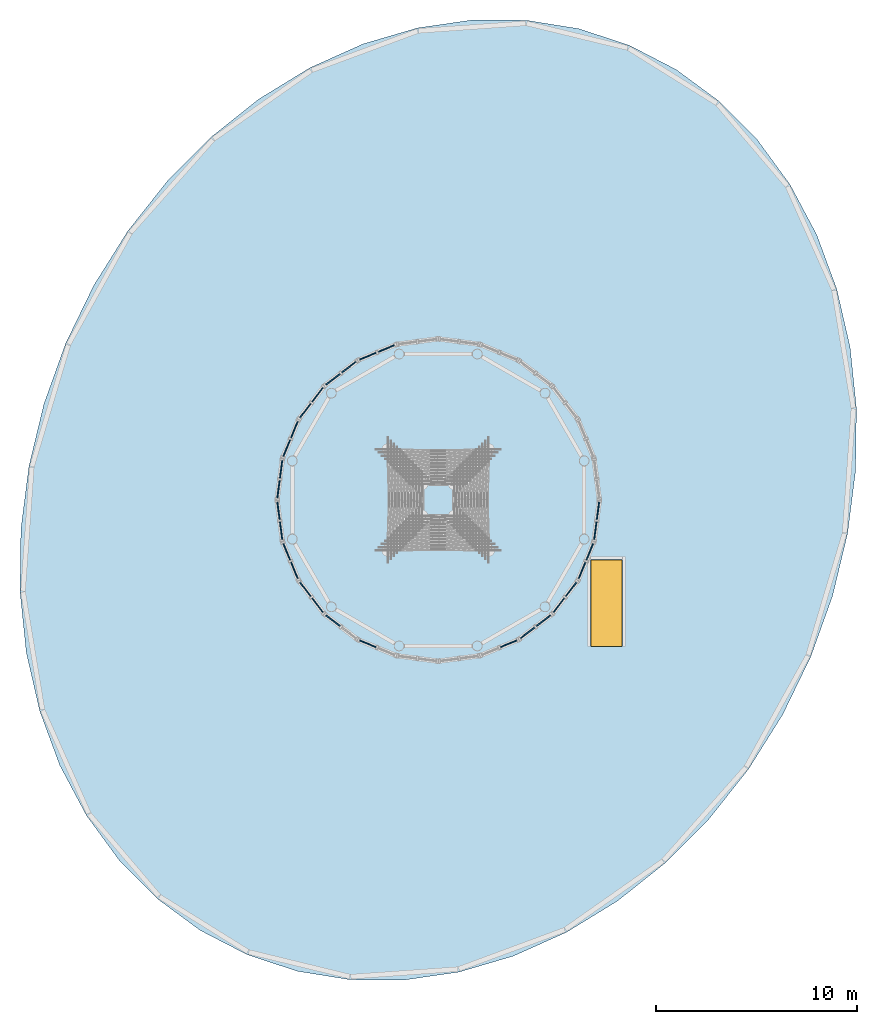
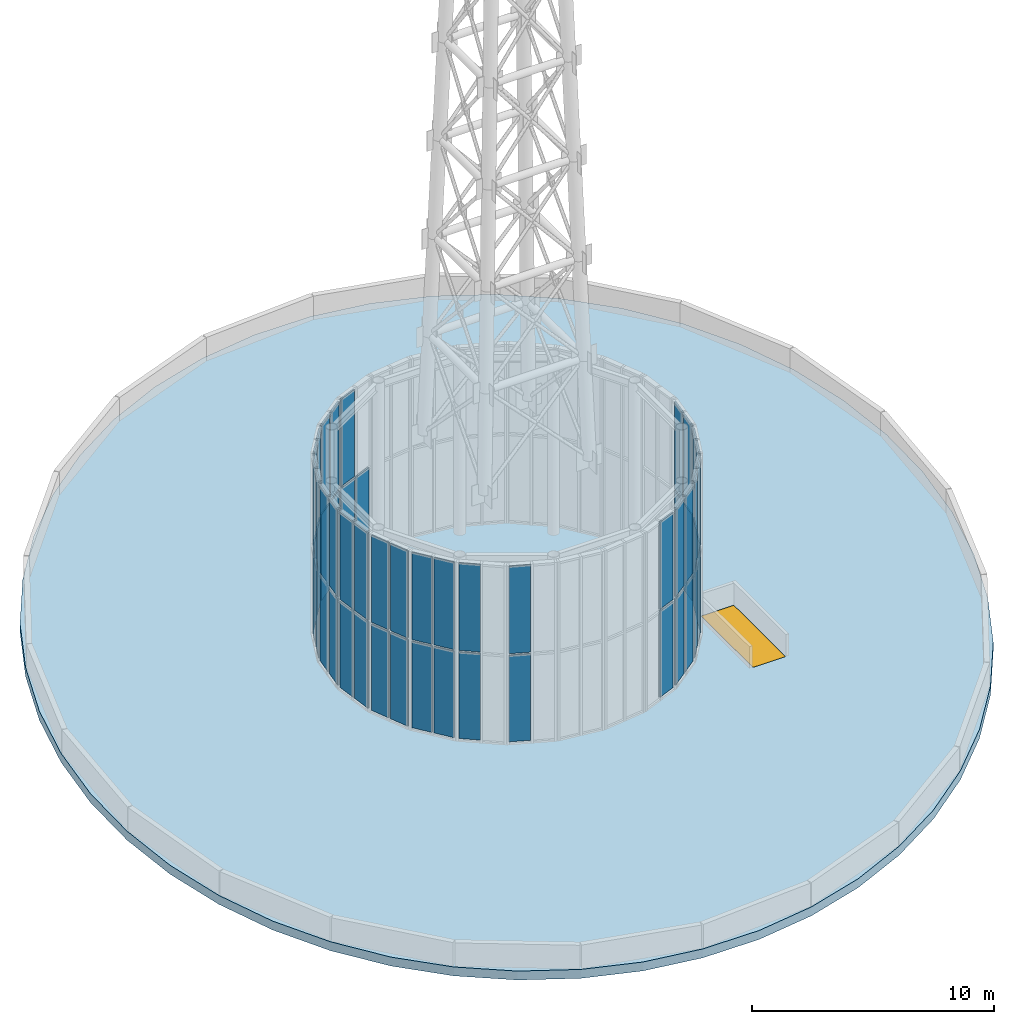
# One storey, part 9 of 11: 53 plates, 1 door, 1 slab, 1 opening, 15 elements without a shape of their own.
"""IFC4 building model written with IfcOpenShell, lengths in metres."""

from ifc_helpers import new_model, si_unit, direction, frame, origin, origin_2d, place, context, subcontext, project, spatial, polyline, rectangle, outline, extrude, material, layer, layer_set, type_object, element, fill, aggregate, save


model = new_model("IFC4")

# Units and contexts
model_context = context("Model", 3, precision=1e-05, world=origin(), true_north=direction((0.0, 1.0)))
body_context = subcontext(model_context, "Body", "Model", "MODEL_VIEW")
ifc_project = project(units=[si_unit("LENGTHUNIT", "METRE"), si_unit("AREAUNIT", "SQUARE_METRE"), si_unit("VOLUMEUNIT", "CUBIC_METRE"), si_unit("PLANEANGLEUNIT", "RADIAN"), si_unit("MASSUNIT", "GRAM", prefix="KILO")], contexts=[model_context])

# Site, building, storey
site_placement = place(None, origin())
site = spatial("IfcSite", under=ifc_project, at=site_placement, CompositionType="ELEMENT")
building_placement = place(site_placement, origin())
building = spatial("IfcBuilding", under=site, at=building_placement, Name="Vermilion Reach Broadcast Tower", CompositionType="ELEMENT")
storey_placement = place(building_placement, frame((0.0, 0.0, 329.699951171875)))
storey = spatial("IfcBuildingStorey", under=building, at=storey_placement, Name="RF", CompositionType="ELEMENT", Elevation=329.699951171875)

# Curtain wall, plates
ifc_material_1 = material(Name="Low-e laminated clear glass in aluminium frame", Category="aluminium")
curtain_wall_type = type_object("IfcCurtainWallType", Name="Drum louvre curtain wall", PredefinedType="NOTDEFINED", material=ifc_material_1)
placement = place(storey_placement, origin())
curtain_wall_1 = element("IfcCurtainWall", 1, at=placement, inside=storey, type_object=curtain_wall_type, Name="Drum louvre wall RF 08", PredefinedType="NOTDEFINED")
ifc_material_2 = material(Name="Anodised aluminium louvre", Category="aluminium")
ifc_layer_1 = layer(ifc_material_2, 0.06005859375)
ifc_layer_set_1 = layer_set([ifc_layer_1], Name="Drum louvre glass panel")
plate_type = type_object("IfcPlateType", Name="Drum louvre glass panel", PredefinedType="CURTAIN_PANEL", material=ifc_layer_set_1)
plate_1_placement = place(storey_placement, frame((-8.575927734375, 7.51806640625, 0.10009765625), z_axis=(0.0, 0.0, 1.0), x_axis=(-0.923879532511, -0.382683432365, 0.0)))
plate_1 = element("IfcPlate", 2, at=plate_1_placement, type_object=plate_type, Name="Drum louvre wall glass panel RF 08.1.1", PredefinedType="CURTAIN_PANEL", context=body_context, shape_type="SweptSolid", body=[
    extrude(rectangle(XDim=0.894287109375, YDim=0.06005859375, at=origin_2d()), origin(), (0.0, 0.0, 1.0), 4.35009765625),
])
plate_2_placement = place(storey_placement, frame((-9.49462890625, 7.137451171875, 0.10009765625), z_axis=(0.0, 0.0, 1.0), x_axis=(-0.923879532511, -0.382683432365, 0.0)))
plate_2 = element("IfcPlate", 3, at=plate_2_placement, type_object=plate_type, Name="Drum louvre wall glass panel RF 08.2.1", PredefinedType="CURTAIN_PANEL", context=body_context, shape_type="SweptSolid", body=[
    extrude(rectangle(XDim=0.894287109375, YDim=0.06005859375, at=origin_2d()), origin(), (0.0, 0.0, 1.0), 4.35009765625),
])
plate_3_placement = place(storey_placement, frame((-9.49462890625, 7.137451171875, 4.550048828125), z_axis=(0.0, 0.0, 1.0), x_axis=(-0.923879532511, -0.382683432365, 0.0)))
plate_3 = element("IfcPlate", 4, at=plate_3_placement, type_object=plate_type, Name="Drum louvre wall glass panel RF 08.2.2", PredefinedType="CURTAIN_PANEL", context=body_context, shape_type="SweptSolid", body=[
    extrude(rectangle(XDim=0.894287109375, YDim=0.06005859375, at=origin_2d()), origin(), (0.0, 0.0, 1.0), 4.39990234375),
])
aggregate(curtain_wall_1, [plate_1, plate_2, plate_3])

curtain_wall_2 = element("IfcCurtainWall", 5, at=placement, inside=storey, type_object=curtain_wall_type, Name="Drum louvre wall RF 09", PredefinedType="NOTDEFINED")
plate_4_placement = place(storey_placement, frame((-10.43408203125, 6.59521484375, 0.10009765625), z_axis=(0.0, 0.0, 1.0), x_axis=(-0.793353340291, -0.608761429009, 0.0)))
plate_4 = element("IfcPlate", 6, at=plate_4_placement, type_object=plate_type, Name="Drum louvre wall glass panel RF 09.1.1", PredefinedType="CURTAIN_PANEL", context=body_context, shape_type="SweptSolid", body=[
    extrude(rectangle(XDim=0.894287109375, YDim=0.06005859375, at=origin_2d()), origin(), (0.0, 0.0, 1.0), 4.35009765625),
])
plate_5_placement = place(storey_placement, frame((-10.43408203125, 6.59521484375, 4.550048828125), z_axis=(0.0, 0.0, 1.0), x_axis=(-0.793353340291, -0.608761429009, 0.0)))
plate_5 = element("IfcPlate", 7, at=plate_5_placement, type_object=plate_type, Name="Drum louvre wall glass panel RF 09.1.2", PredefinedType="CURTAIN_PANEL", context=body_context, shape_type="SweptSolid", body=[
    extrude(rectangle(XDim=0.894287109375, YDim=0.06005859375, at=origin_2d()), origin(), (0.0, 0.0, 1.0), 4.39990234375),
])
plate_6_placement = place(storey_placement, frame((-11.222900390625, 5.989990234375, 0.10009765625), z_axis=(0.0, 0.0, 1.0), x_axis=(-0.793353340291, -0.608761429009, 0.0)))
plate_6 = element("IfcPlate", 8, at=plate_6_placement, type_object=plate_type, Name="Drum louvre wall glass panel RF 09.2.1", PredefinedType="CURTAIN_PANEL", context=body_context, shape_type="SweptSolid", body=[
    extrude(rectangle(XDim=0.894287109375, YDim=0.06005859375, at=origin_2d()), origin(), (0.0, 0.0, 1.0), 4.35009765625),
])
plate_7_placement = place(storey_placement, frame((-11.222900390625, 5.989990234375, 4.550048828125), z_axis=(0.0, 0.0, 1.0), x_axis=(-0.793353340291, -0.608761429009, 0.0)))
plate_7 = element("IfcPlate", 9, at=plate_7_placement, type_object=plate_type, Name="Drum louvre wall glass panel RF 09.2.2", PredefinedType="CURTAIN_PANEL", context=body_context, shape_type="SweptSolid", body=[
    extrude(rectangle(XDim=0.894287109375, YDim=0.06005859375, at=origin_2d()), origin(), (0.0, 0.0, 1.0), 4.39990234375),
])
aggregate(curtain_wall_2, [plate_4, plate_5, plate_6, plate_7])

curtain_wall_3 = element("IfcCurtainWall", 10, at=placement, inside=storey, type_object=curtain_wall_type, Name="Drum louvre wall RF 10", PredefinedType="NOTDEFINED")
plate_8_placement = place(storey_placement, frame((-11.989990234375, 5.222900390625, 0.10009765625), z_axis=(0.0, 0.0, 1.0), x_axis=(-0.608761429009, -0.793353340291, 0.0)))
plate_8 = element("IfcPlate", 11, at=plate_8_placement, type_object=plate_type, Name="Drum louvre wall glass panel RF 10.1.1", PredefinedType="CURTAIN_PANEL", context=body_context, shape_type="SweptSolid", body=[
    extrude(rectangle(XDim=0.894287109375, YDim=0.06005859375, at=origin_2d()), origin(), (0.0, 0.0, 1.0), 4.35009765625),
])
plate_9_placement = place(storey_placement, frame((-11.989990234375, 5.222900390625, 4.550048828125), z_axis=(0.0, 0.0, 1.0), x_axis=(-0.608761429009, -0.793353340291, 0.0)))
plate_9 = element("IfcPlate", 12, at=plate_9_placement, type_object=plate_type, Name="Drum louvre wall glass panel RF 10.1.2", PredefinedType="CURTAIN_PANEL", context=body_context, shape_type="SweptSolid", body=[
    extrude(rectangle(XDim=0.894287109375, YDim=0.06005859375, at=origin_2d()), origin(), (0.0, 0.0, 1.0), 4.39990234375),
])
plate_10_placement = place(storey_placement, frame((-12.59521484375, 4.43408203125, 0.10009765625), z_axis=(0.0, 0.0, 1.0), x_axis=(-0.608761429009, -0.793353340291, 0.0)))
plate_10 = element("IfcPlate", 13, at=plate_10_placement, type_object=plate_type, Name="Drum louvre wall glass panel RF 10.2.1", PredefinedType="CURTAIN_PANEL", context=body_context, shape_type="SweptSolid", body=[
    extrude(rectangle(XDim=0.894287109375, YDim=0.06005859375, at=origin_2d()), origin(), (0.0, 0.0, 1.0), 4.35009765625),
])
plate_11_placement = place(storey_placement, frame((-12.59521484375, 4.43408203125, 4.550048828125), z_axis=(0.0, 0.0, 1.0), x_axis=(-0.608761429009, -0.793353340291, 0.0)))
plate_11 = element("IfcPlate", 14, at=plate_11_placement, type_object=plate_type, Name="Drum louvre wall glass panel RF 10.2.2", PredefinedType="CURTAIN_PANEL", context=body_context, shape_type="SweptSolid", body=[
    extrude(rectangle(XDim=0.894287109375, YDim=0.06005859375, at=origin_2d()), origin(), (0.0, 0.0, 1.0), 4.39990234375),
])
aggregate(curtain_wall_3, [plate_8, plate_9, plate_10, plate_11])

curtain_wall_4 = element("IfcCurtainWall", 15, at=placement, inside=storey, type_object=curtain_wall_type, Name="Drum louvre wall RF 11", PredefinedType="NOTDEFINED")
plate_12_placement = place(storey_placement, frame((-13.137451171875, 3.49462890625, 0.10009765625), z_axis=(0.0, 0.0, 1.0), x_axis=(-0.382683432365, -0.923879532511, 0.0)))
plate_12 = element("IfcPlate", 16, at=plate_12_placement, type_object=plate_type, Name="Drum louvre wall glass panel RF 11.1.1", PredefinedType="CURTAIN_PANEL", context=body_context, shape_type="SweptSolid", body=[
    extrude(rectangle(XDim=0.894287109375, YDim=0.06005859375, at=origin_2d()), origin(), (0.0, 0.0, 1.0), 4.35009765625),
])
plate_13_placement = place(storey_placement, frame((-13.137451171875, 3.49462890625, 4.550048828125), z_axis=(0.0, 0.0, 1.0), x_axis=(-0.382683432365, -0.923879532511, 0.0)))
plate_13 = element("IfcPlate", 17, at=plate_13_placement, type_object=plate_type, Name="Drum louvre wall glass panel RF 11.1.2", PredefinedType="CURTAIN_PANEL", context=body_context, shape_type="SweptSolid", body=[
    extrude(rectangle(XDim=0.894287109375, YDim=0.06005859375, at=origin_2d()), origin(), (0.0, 0.0, 1.0), 4.39990234375),
])
plate_14_placement = place(storey_placement, frame((-13.51806640625, 2.575927734375, 0.10009765625), z_axis=(0.0, 0.0, 1.0), x_axis=(-0.382683432365, -0.923879532511, 0.0)))
plate_14 = element("IfcPlate", 18, at=plate_14_placement, type_object=plate_type, Name="Drum louvre wall glass panel RF 11.2.1", PredefinedType="CURTAIN_PANEL", context=body_context, shape_type="SweptSolid", body=[
    extrude(rectangle(XDim=0.894287109375, YDim=0.06005859375, at=origin_2d()), origin(), (0.0, 0.0, 1.0), 4.35009765625),
])
plate_15_placement = place(storey_placement, frame((-13.51806640625, 2.575927734375, 4.550048828125), z_axis=(0.0, 0.0, 1.0), x_axis=(-0.382683432365, -0.923879532511, 0.0)))
plate_15 = element("IfcPlate", 19, at=plate_15_placement, type_object=plate_type, Name="Drum louvre wall glass panel RF 11.2.2", PredefinedType="CURTAIN_PANEL", context=body_context, shape_type="SweptSolid", body=[
    extrude(rectangle(XDim=0.894287109375, YDim=0.06005859375, at=origin_2d()), origin(), (0.0, 0.0, 1.0), 4.39990234375),
])
aggregate(curtain_wall_4, [plate_12, plate_13, plate_14, plate_15])

curtain_wall_5 = element("IfcCurtainWall", 20, at=placement, inside=storey, type_object=curtain_wall_type, Name="Drum louvre wall RF 12", PredefinedType="NOTDEFINED")
plate_16_placement = place(storey_placement, frame((-13.798828125, 1.528076171875, 0.10009765625), z_axis=(0.0, 0.0, 1.0), x_axis=(-0.13052619222, -0.991444861374, 0.0)))
plate_16 = element("IfcPlate", 21, at=plate_16_placement, type_object=plate_type, Name="Drum louvre wall glass panel RF 12.1.1", PredefinedType="CURTAIN_PANEL", context=body_context, shape_type="SweptSolid", body=[
    extrude(rectangle(XDim=0.894287109375, YDim=0.06005859375, at=origin_2d()), origin(), (0.0, 0.0, 1.0), 4.35009765625),
])
plate_17_placement = place(storey_placement, frame((-13.798828125, 1.528076171875, 4.550048828125), z_axis=(0.0, 0.0, 1.0), x_axis=(-0.13052619222, -0.991444861374, 0.0)))
plate_17 = element("IfcPlate", 22, at=plate_17_placement, type_object=plate_type, Name="Drum louvre wall glass panel RF 12.1.2", PredefinedType="CURTAIN_PANEL", context=body_context, shape_type="SweptSolid", body=[
    extrude(rectangle(XDim=0.894287109375, YDim=0.06005859375, at=origin_2d()), origin(), (0.0, 0.0, 1.0), 4.39990234375),
])
plate_18_placement = place(storey_placement, frame((-13.928466796875, 0.54248046875, 0.10009765625), z_axis=(0.0, 0.0, 1.0), x_axis=(-0.13052619222, -0.991444861374, 0.0)))
plate_18 = element("IfcPlate", 23, at=plate_18_placement, type_object=plate_type, Name="Drum louvre wall glass panel RF 12.2.1", PredefinedType="CURTAIN_PANEL", context=body_context, shape_type="SweptSolid", body=[
    extrude(rectangle(XDim=0.894287109375, YDim=0.06005859375, at=origin_2d()), origin(), (0.0, 0.0, 1.0), 4.35009765625),
])
plate_19_placement = place(storey_placement, frame((-13.928466796875, 0.54248046875, 4.550048828125), z_axis=(0.0, 0.0, 1.0), x_axis=(-0.13052619222, -0.991444861374, 0.0)))
plate_19 = element("IfcPlate", 24, at=plate_19_placement, type_object=plate_type, Name="Drum louvre wall glass panel RF 12.2.2", PredefinedType="CURTAIN_PANEL", context=body_context, shape_type="SweptSolid", body=[
    extrude(rectangle(XDim=0.894287109375, YDim=0.06005859375, at=origin_2d()), origin(), (0.0, 0.0, 1.0), 4.39990234375),
])
aggregate(curtain_wall_5, [plate_16, plate_17, plate_18, plate_19])

curtain_wall_6 = element("IfcCurtainWall", 25, at=placement, inside=storey, type_object=curtain_wall_type, Name="Drum louvre wall RF 13", PredefinedType="NOTDEFINED")
plate_20_placement = place(storey_placement, frame((-13.928466796875, -0.54248046875, 0.10009765625), z_axis=(0.0, 0.0, 1.0), x_axis=(0.13052619222, -0.991444861374, 0.0)))
plate_20 = element("IfcPlate", 26, at=plate_20_placement, type_object=plate_type, Name="Drum louvre wall glass panel RF 13.1.1", PredefinedType="CURTAIN_PANEL", context=body_context, shape_type="SweptSolid", body=[
    extrude(rectangle(XDim=0.894287109375, YDim=0.06005859375, at=origin_2d()), origin(), (0.0, 0.0, 1.0), 4.35009765625),
])
plate_21_placement = place(storey_placement, frame((-13.928466796875, -0.54248046875, 4.550048828125), z_axis=(0.0, 0.0, 1.0), x_axis=(0.13052619222, -0.991444861374, 0.0)))
plate_21 = element("IfcPlate", 27, at=plate_21_placement, type_object=plate_type, Name="Drum louvre wall glass panel RF 13.1.2", PredefinedType="CURTAIN_PANEL", context=body_context, shape_type="SweptSolid", body=[
    extrude(rectangle(XDim=0.894287109375, YDim=0.06005859375, at=origin_2d()), origin(), (0.0, 0.0, 1.0), 4.39990234375),
])
plate_22_placement = place(storey_placement, frame((-13.798828125, -1.528076171875, 0.10009765625), z_axis=(0.0, 0.0, 1.0), x_axis=(0.13052619222, -0.991444861374, 0.0)))
plate_22 = element("IfcPlate", 28, at=plate_22_placement, type_object=plate_type, Name="Drum louvre wall glass panel RF 13.2.1", PredefinedType="CURTAIN_PANEL", context=body_context, shape_type="SweptSolid", body=[
    extrude(rectangle(XDim=0.894287109375, YDim=0.06005859375, at=origin_2d()), origin(), (0.0, 0.0, 1.0), 4.35009765625),
])
plate_23_placement = place(storey_placement, frame((-13.798828125, -1.528076171875, 4.550048828125), z_axis=(0.0, 0.0, 1.0), x_axis=(0.13052619222, -0.991444861374, 0.0)))
plate_23 = element("IfcPlate", 29, at=plate_23_placement, type_object=plate_type, Name="Drum louvre wall glass panel RF 13.2.2", PredefinedType="CURTAIN_PANEL", context=body_context, shape_type="SweptSolid", body=[
    extrude(rectangle(XDim=0.894287109375, YDim=0.06005859375, at=origin_2d()), origin(), (0.0, 0.0, 1.0), 4.39990234375),
])
aggregate(curtain_wall_6, [plate_20, plate_21, plate_22, plate_23])

curtain_wall_7 = element("IfcCurtainWall", 30, at=placement, inside=storey, type_object=curtain_wall_type, Name="Drum louvre wall RF 14", PredefinedType="NOTDEFINED")
plate_24_placement = place(storey_placement, frame((-13.51806640625, -2.575927734375, 0.10009765625), z_axis=(0.0, 0.0, 1.0), x_axis=(0.382683432365, -0.923879532511, 0.0)))
plate_24 = element("IfcPlate", 31, at=plate_24_placement, type_object=plate_type, Name="Drum louvre wall glass panel RF 14.1.1", PredefinedType="CURTAIN_PANEL", context=body_context, shape_type="SweptSolid", body=[
    extrude(rectangle(XDim=0.894287109375, YDim=0.06005859375, at=origin_2d()), origin(), (0.0, 0.0, 1.0), 4.35009765625),
])
plate_25_placement = place(storey_placement, frame((-13.51806640625, -2.575927734375, 4.550048828125), z_axis=(0.0, 0.0, 1.0), x_axis=(0.382683432365, -0.923879532511, 0.0)))
plate_25 = element("IfcPlate", 32, at=plate_25_placement, type_object=plate_type, Name="Drum louvre wall glass panel RF 14.1.2", PredefinedType="CURTAIN_PANEL", context=body_context, shape_type="SweptSolid", body=[
    extrude(rectangle(XDim=0.894287109375, YDim=0.06005859375, at=origin_2d()), origin(), (0.0, 0.0, 1.0), 4.39990234375),
])
plate_26_placement = place(storey_placement, frame((-13.137451171875, -3.49462890625, 0.10009765625), z_axis=(0.0, 0.0, 1.0), x_axis=(0.382683432365, -0.923879532511, 0.0)))
plate_26 = element("IfcPlate", 33, at=plate_26_placement, type_object=plate_type, Name="Drum louvre wall glass panel RF 14.2.1", PredefinedType="CURTAIN_PANEL", context=body_context, shape_type="SweptSolid", body=[
    extrude(rectangle(XDim=0.894287109375, YDim=0.06005859375, at=origin_2d()), origin(), (0.0, 0.0, 1.0), 4.35009765625),
])
plate_27_placement = place(storey_placement, frame((-13.137451171875, -3.49462890625, 4.550048828125), z_axis=(0.0, 0.0, 1.0), x_axis=(0.382683432365, -0.923879532511, 0.0)))
plate_27 = element("IfcPlate", 34, at=plate_27_placement, type_object=plate_type, Name="Drum louvre wall glass panel RF 14.2.2", PredefinedType="CURTAIN_PANEL", context=body_context, shape_type="SweptSolid", body=[
    extrude(rectangle(XDim=0.894287109375, YDim=0.06005859375, at=origin_2d()), origin(), (0.0, 0.0, 1.0), 4.39990234375),
])
aggregate(curtain_wall_7, [plate_24, plate_25, plate_26, plate_27])

curtain_wall_8 = element("IfcCurtainWall", 35, at=placement, inside=storey, type_object=curtain_wall_type, Name="Drum louvre wall RF 15", PredefinedType="NOTDEFINED")
plate_28_placement = place(storey_placement, frame((-12.59521484375, -4.43408203125, 0.10009765625), z_axis=(0.0, 0.0, 1.0), x_axis=(0.608761429009, -0.793353340291, 0.0)))
plate_28 = element("IfcPlate", 36, at=plate_28_placement, type_object=plate_type, Name="Drum louvre wall glass panel RF 15.1.1", PredefinedType="CURTAIN_PANEL", context=body_context, shape_type="SweptSolid", body=[
    extrude(rectangle(XDim=0.894287109375, YDim=0.06005859375, at=origin_2d()), origin(), (0.0, 0.0, 1.0), 4.35009765625),
])
plate_29_placement = place(storey_placement, frame((-12.59521484375, -4.43408203125, 4.550048828125), z_axis=(0.0, 0.0, 1.0), x_axis=(0.608761429009, -0.793353340291, 0.0)))
plate_29 = element("IfcPlate", 37, at=plate_29_placement, type_object=plate_type, Name="Drum louvre wall glass panel RF 15.1.2", PredefinedType="CURTAIN_PANEL", context=body_context, shape_type="SweptSolid", body=[
    extrude(rectangle(XDim=0.894287109375, YDim=0.06005859375, at=origin_2d()), origin(), (0.0, 0.0, 1.0), 4.39990234375),
])
plate_30_placement = place(storey_placement, frame((-11.989990234375, -5.222900390625, 0.10009765625), z_axis=(0.0, 0.0, 1.0), x_axis=(0.608761429009, -0.793353340291, 0.0)))
plate_30 = element("IfcPlate", 38, at=plate_30_placement, type_object=plate_type, Name="Drum louvre wall glass panel RF 15.2.1", PredefinedType="CURTAIN_PANEL", context=body_context, shape_type="SweptSolid", body=[
    extrude(rectangle(XDim=0.894287109375, YDim=0.06005859375, at=origin_2d()), origin(), (0.0, 0.0, 1.0), 4.35009765625),
])
plate_31_placement = place(storey_placement, frame((-11.989990234375, -5.222900390625, 4.550048828125), z_axis=(0.0, 0.0, 1.0), x_axis=(0.608761429009, -0.793353340291, 0.0)))
plate_31 = element("IfcPlate", 39, at=plate_31_placement, type_object=plate_type, Name="Drum louvre wall glass panel RF 15.2.2", PredefinedType="CURTAIN_PANEL", context=body_context, shape_type="SweptSolid", body=[
    extrude(rectangle(XDim=0.894287109375, YDim=0.06005859375, at=origin_2d()), origin(), (0.0, 0.0, 1.0), 4.39990234375),
])
aggregate(curtain_wall_8, [plate_28, plate_29, plate_30, plate_31])

curtain_wall_9 = element("IfcCurtainWall", 40, at=placement, inside=storey, type_object=curtain_wall_type, Name="Drum louvre wall RF 16", PredefinedType="NOTDEFINED")
plate_32_placement = place(storey_placement, frame((-11.222900390625, -5.989990234375, 0.10009765625), z_axis=(0.0, 0.0, 1.0), x_axis=(0.793353340291, -0.608761429009, 0.0)))
plate_32 = element("IfcPlate", 41, at=plate_32_placement, type_object=plate_type, Name="Drum louvre wall glass panel RF 16.1.1", PredefinedType="CURTAIN_PANEL", context=body_context, shape_type="SweptSolid", body=[
    extrude(rectangle(XDim=0.894287109375, YDim=0.06005859375, at=origin_2d()), origin(), (0.0, 0.0, 1.0), 4.35009765625),
])
plate_33_placement = place(storey_placement, frame((-11.222900390625, -5.989990234375, 4.550048828125), z_axis=(0.0, 0.0, 1.0), x_axis=(0.793353340291, -0.608761429009, 0.0)))
plate_33 = element("IfcPlate", 42, at=plate_33_placement, type_object=plate_type, Name="Drum louvre wall glass panel RF 16.1.2", PredefinedType="CURTAIN_PANEL", context=body_context, shape_type="SweptSolid", body=[
    extrude(rectangle(XDim=0.894287109375, YDim=0.06005859375, at=origin_2d()), origin(), (0.0, 0.0, 1.0), 4.39990234375),
])
aggregate(curtain_wall_9, [plate_32, plate_33])

curtain_wall_10 = element("IfcCurtainWall", 43, at=placement, inside=storey, type_object=curtain_wall_type, Name="Drum louvre wall RF 17", PredefinedType="NOTDEFINED")
plate_34_placement = place(storey_placement, frame((-9.49462890625, -7.137451171875, 0.10009765625), z_axis=(0.0, 0.0, 1.0), x_axis=(0.923879532511, -0.382683432365, 0.0)))
plate_34 = element("IfcPlate", 44, at=plate_34_placement, type_object=plate_type, Name="Drum louvre wall glass panel RF 17.1.1", PredefinedType="CURTAIN_PANEL", context=body_context, shape_type="SweptSolid", body=[
    extrude(rectangle(XDim=0.894287109375, YDim=0.06005859375, at=origin_2d()), origin(), (0.0, 0.0, 1.0), 4.35009765625),
])
plate_35_placement = place(storey_placement, frame((-9.49462890625, -7.137451171875, 4.550048828125), z_axis=(0.0, 0.0, 1.0), x_axis=(0.923879532511, -0.382683432365, 0.0)))
plate_35 = element("IfcPlate", 45, at=plate_35_placement, type_object=plate_type, Name="Drum louvre wall glass panel RF 17.1.2", PredefinedType="CURTAIN_PANEL", context=body_context, shape_type="SweptSolid", body=[
    extrude(rectangle(XDim=0.894287109375, YDim=0.06005859375, at=origin_2d()), origin(), (0.0, 0.0, 1.0), 4.39990234375),
])
aggregate(curtain_wall_10, [plate_34, plate_35])

curtain_wall_11 = element("IfcCurtainWall", 46, at=placement, inside=storey, type_object=curtain_wall_type, Name="Drum louvre wall RF 20", PredefinedType="NOTDEFINED")
plate_36_placement = place(storey_placement, frame((-2.50537109375, -7.137451171875, 0.10009765625), z_axis=(0.0, 0.0, 1.0), x_axis=(0.923879532511, 0.382683432365, 0.0)))
plate_36 = element("IfcPlate", 47, at=plate_36_placement, type_object=plate_type, Name="Drum louvre wall glass panel RF 20.2.1", PredefinedType="CURTAIN_PANEL", context=body_context, shape_type="SweptSolid", body=[
    extrude(rectangle(XDim=0.894287109375, YDim=0.06005859375, at=origin_2d()), origin(), (0.0, 0.0, 1.0), 4.35009765625),
])
plate_37_placement = place(storey_placement, frame((-2.50537109375, -7.137451171875, 4.550048828125), z_axis=(0.0, 0.0, 1.0), x_axis=(0.923879532511, 0.382683432365, 0.0)))
plate_37 = element("IfcPlate", 48, at=plate_37_placement, type_object=plate_type, Name="Drum louvre wall glass panel RF 20.2.2", PredefinedType="CURTAIN_PANEL", context=body_context, shape_type="SweptSolid", body=[
    extrude(rectangle(XDim=0.894287109375, YDim=0.06005859375, at=origin_2d()), origin(), (0.0, 0.0, 1.0), 4.39990234375),
])
aggregate(curtain_wall_11, [plate_36, plate_37])

curtain_wall_12 = element("IfcCurtainWall", 49, at=placement, inside=storey, type_object=curtain_wall_type, Name="Drum louvre wall RF 21", PredefinedType="NOTDEFINED")
plate_38_placement = place(storey_placement, frame((-1.56591796875, -6.59521484375, 0.10009765625), z_axis=(0.0, 0.0, 1.0), x_axis=(0.793353340291, 0.608761429009, 0.0)))
plate_38 = element("IfcPlate", 50, at=plate_38_placement, type_object=plate_type, Name="Drum louvre wall glass panel RF 21.1.1", PredefinedType="CURTAIN_PANEL", context=body_context, shape_type="SweptSolid", body=[
    extrude(rectangle(XDim=0.894287109375, YDim=0.06005859375, at=origin_2d()), origin(), (0.0, 0.0, 1.0), 4.35009765625),
])
plate_39_placement = place(storey_placement, frame((-1.56591796875, -6.59521484375, 4.550048828125), z_axis=(0.0, 0.0, 1.0), x_axis=(0.793353340291, 0.608761429009, 0.0)))
plate_39 = element("IfcPlate", 51, at=plate_39_placement, type_object=plate_type, Name="Drum louvre wall glass panel RF 21.1.2", PredefinedType="CURTAIN_PANEL", context=body_context, shape_type="SweptSolid", body=[
    extrude(rectangle(XDim=0.894287109375, YDim=0.06005859375, at=origin_2d()), origin(), (0.0, 0.0, 1.0), 4.39990234375),
])
plate_40_placement = place(storey_placement, frame((-0.777099609375, -5.989990234375, 0.10009765625), z_axis=(0.0, 0.0, 1.0), x_axis=(0.793353340291, 0.608761429009, 0.0)))
plate_40 = element("IfcPlate", 52, at=plate_40_placement, type_object=plate_type, Name="Drum louvre wall glass panel RF 21.2.1", PredefinedType="CURTAIN_PANEL", context=body_context, shape_type="SweptSolid", body=[
    extrude(rectangle(XDim=0.894287109375, YDim=0.06005859375, at=origin_2d()), origin(), (0.0, 0.0, 1.0), 4.35009765625),
])
plate_41_placement = place(storey_placement, frame((-0.777099609375, -5.989990234375, 4.550048828125), z_axis=(0.0, 0.0, 1.0), x_axis=(0.793353340291, 0.608761429009, 0.0)))
plate_41 = element("IfcPlate", 53, at=plate_41_placement, type_object=plate_type, Name="Drum louvre wall glass panel RF 21.2.2", PredefinedType="CURTAIN_PANEL", context=body_context, shape_type="SweptSolid", body=[
    extrude(rectangle(XDim=0.894287109375, YDim=0.06005859375, at=origin_2d()), origin(), (0.0, 0.0, 1.0), 4.39990234375),
])
aggregate(curtain_wall_12, [plate_38, plate_39, plate_40, plate_41])

curtain_wall_13 = element("IfcCurtainWall", 54, at=placement, inside=storey, type_object=curtain_wall_type, Name="Drum louvre wall RF 22", PredefinedType="NOTDEFINED")
plate_42_placement = place(storey_placement, frame((-0.010009765625, -5.222900390625, 0.10009765625), z_axis=(0.0, 0.0, 1.0), x_axis=(0.608761429009, 0.793353340291, 0.0)))
plate_42 = element("IfcPlate", 55, at=plate_42_placement, type_object=plate_type, Name="Drum louvre wall glass panel RF 22.1.1", PredefinedType="CURTAIN_PANEL", context=body_context, shape_type="SweptSolid", body=[
    extrude(rectangle(XDim=0.894287109375, YDim=0.06005859375, at=origin_2d()), origin(), (0.0, 0.0, 1.0), 4.35009765625),
])
plate_43_placement = place(storey_placement, frame((-0.010009765625, -5.222900390625, 4.550048828125), z_axis=(0.0, 0.0, 1.0), x_axis=(0.608761429009, 0.793353340291, 0.0)))
plate_43 = element("IfcPlate", 56, at=plate_43_placement, type_object=plate_type, Name="Drum louvre wall glass panel RF 22.1.2", PredefinedType="CURTAIN_PANEL", context=body_context, shape_type="SweptSolid", body=[
    extrude(rectangle(XDim=0.894287109375, YDim=0.06005859375, at=origin_2d()), origin(), (0.0, 0.0, 1.0), 4.39990234375),
])
plate_44_placement = place(storey_placement, frame((0.59521484375, -4.43408203125, 0.10009765625), z_axis=(0.0, 0.0, 1.0), x_axis=(0.608761429009, 0.793353340291, 0.0)))
plate_44 = element("IfcPlate", 57, at=plate_44_placement, type_object=plate_type, Name="Drum louvre wall glass panel RF 22.2.1", PredefinedType="CURTAIN_PANEL", context=body_context, shape_type="SweptSolid", body=[
    extrude(rectangle(XDim=0.894287109375, YDim=0.06005859375, at=origin_2d()), origin(), (0.0, 0.0, 1.0), 4.35009765625),
])
plate_45_placement = place(storey_placement, frame((0.59521484375, -4.43408203125, 4.550048828125), z_axis=(0.0, 0.0, 1.0), x_axis=(0.608761429009, 0.793353340291, 0.0)))
plate_45 = element("IfcPlate", 58, at=plate_45_placement, type_object=plate_type, Name="Drum louvre wall glass panel RF 22.2.2", PredefinedType="CURTAIN_PANEL", context=body_context, shape_type="SweptSolid", body=[
    extrude(rectangle(XDim=0.894287109375, YDim=0.06005859375, at=origin_2d()), origin(), (0.0, 0.0, 1.0), 4.39990234375),
])
aggregate(curtain_wall_13, [plate_42, plate_43, plate_44, plate_45])

curtain_wall_14 = element("IfcCurtainWall", 59, at=placement, inside=storey, type_object=curtain_wall_type, Name="Drum louvre wall RF 23", PredefinedType="NOTDEFINED")
plate_46_placement = place(storey_placement, frame((1.137451171875, -3.49462890625, 0.10009765625), z_axis=(0.0, 0.0, 1.0), x_axis=(0.382683432365, 0.923879532511, 0.0)))
plate_46 = element("IfcPlate", 60, at=plate_46_placement, type_object=plate_type, Name="Drum louvre wall glass panel RF 23.1.1", PredefinedType="CURTAIN_PANEL", context=body_context, shape_type="SweptSolid", body=[
    extrude(rectangle(XDim=0.894287109375, YDim=0.06005859375, at=origin_2d()), origin(), (0.0, 0.0, 1.0), 4.35009765625),
])
plate_47_placement = place(storey_placement, frame((1.137451171875, -3.49462890625, 4.550048828125), z_axis=(0.0, 0.0, 1.0), x_axis=(0.382683432365, 0.923879532511, 0.0)))
plate_47 = element("IfcPlate", 61, at=plate_47_placement, type_object=plate_type, Name="Drum louvre wall glass panel RF 23.1.2", PredefinedType="CURTAIN_PANEL", context=body_context, shape_type="SweptSolid", body=[
    extrude(rectangle(XDim=0.894287109375, YDim=0.06005859375, at=origin_2d()), origin(), (0.0, 0.0, 1.0), 4.39990234375),
])
plate_48_placement = place(storey_placement, frame((1.51806640625, -2.575927734375, 0.10009765625), z_axis=(0.0, 0.0, 1.0), x_axis=(0.382683432365, 0.923879532511, 0.0)))
plate_48 = element("IfcPlate", 62, at=plate_48_placement, type_object=plate_type, Name="Drum louvre wall glass panel RF 23.2.1", PredefinedType="CURTAIN_PANEL", context=body_context, shape_type="SweptSolid", body=[
    extrude(rectangle(XDim=0.894287109375, YDim=0.06005859375, at=origin_2d()), origin(), (0.0, 0.0, 1.0), 4.35009765625),
])
plate_49_placement = place(storey_placement, frame((1.51806640625, -2.575927734375, 4.550048828125), z_axis=(0.0, 0.0, 1.0), x_axis=(0.382683432365, 0.923879532511, 0.0)))
plate_49 = element("IfcPlate", 63, at=plate_49_placement, type_object=plate_type, Name="Drum louvre wall glass panel RF 23.2.2", PredefinedType="CURTAIN_PANEL", context=body_context, shape_type="SweptSolid", body=[
    extrude(rectangle(XDim=0.894287109375, YDim=0.06005859375, at=origin_2d()), origin(), (0.0, 0.0, 1.0), 4.39990234375),
])
aggregate(curtain_wall_14, [plate_46, plate_47, plate_48, plate_49])

curtain_wall_15 = element("IfcCurtainWall", 64, at=placement, inside=storey, type_object=curtain_wall_type, Name="Drum louvre wall RF 24", PredefinedType="NOTDEFINED")
plate_50_placement = place(storey_placement, frame((1.798828125, -1.528076171875, 0.10009765625), z_axis=(0.0, 0.0, 1.0), x_axis=(0.13052619222, 0.991444861374, 0.0)))
plate_50 = element("IfcPlate", 65, at=plate_50_placement, type_object=plate_type, Name="Drum louvre wall glass panel RF 24.1.1", PredefinedType="CURTAIN_PANEL", context=body_context, shape_type="SweptSolid", body=[
    extrude(rectangle(XDim=0.894287109375, YDim=0.06005859375, at=origin_2d()), origin(), (0.0, 0.0, 1.0), 4.35009765625),
])
plate_51_placement = place(storey_placement, frame((1.798828125, -1.528076171875, 4.550048828125), z_axis=(0.0, 0.0, 1.0), x_axis=(0.13052619222, 0.991444861374, 0.0)))
plate_51 = element("IfcPlate", 66, at=plate_51_placement, type_object=plate_type, Name="Drum louvre wall glass panel RF 24.1.2", PredefinedType="CURTAIN_PANEL", context=body_context, shape_type="SweptSolid", body=[
    extrude(rectangle(XDim=0.894287109375, YDim=0.06005859375, at=origin_2d()), origin(), (0.0, 0.0, 1.0), 4.39990234375),
])
plate_52_placement = place(storey_placement, frame((1.928466796875, -0.54248046875, 0.10009765625), z_axis=(0.0, 0.0, 1.0), x_axis=(0.13052619222, 0.991444861374, 0.0)))
plate_52 = element("IfcPlate", 67, at=plate_52_placement, type_object=plate_type, Name="Drum louvre wall glass panel RF 24.2.1", PredefinedType="CURTAIN_PANEL", context=body_context, shape_type="SweptSolid", body=[
    extrude(rectangle(XDim=0.894287109375, YDim=0.06005859375, at=origin_2d()), origin(), (0.0, 0.0, 1.0), 4.35009765625),
])
plate_53_placement = place(storey_placement, frame((1.928466796875, -0.54248046875, 4.550048828125), z_axis=(0.0, 0.0, 1.0), x_axis=(0.13052619222, 0.991444861374, 0.0)))
plate_53 = element("IfcPlate", 68, at=plate_53_placement, type_object=plate_type, Name="Drum louvre wall glass panel RF 24.2.2", PredefinedType="CURTAIN_PANEL", context=body_context, shape_type="SweptSolid", body=[
    extrude(rectangle(XDim=0.894287109375, YDim=0.06005859375, at=origin_2d()), origin(), (0.0, 0.0, 1.0), 4.39990234375),
])
aggregate(curtain_wall_15, [plate_50, plate_51, plate_52, plate_53])

# Slab, opening, door
ifc_material_3 = material(Name="Concrete C40", Category="concrete")
ifc_layer_2 = layer(ifc_material_3, 0.449951171875)
ifc_layer_set_2 = layer_set([ifc_layer_2], Name="Roof slab Concrete C40 450")
slab_type = type_object("IfcSlabType", Name="Roof slab Concrete C40 450", PredefinedType="ROOF", material=ifc_layer_set_2)
slab_placement = place(storey_placement, frame((0.0, 0.0, -0.449951171875)))
slab = element("IfcSlab", 69, at=slab_placement, inside=storey, type_object=slab_type, Name="Roof slab", PredefinedType="ROOF", context=body_context, shape_type="SweptSolid", body=[
    extrude(outline(polyline([(3.486328125, 22.567138671875), (0.991455078125, 23.388916015625), (-1.623046875, 23.810302734375), (-4.3125, 23.82421875), (-7.03076171875, 23.4306640625), (-9.7314453125, 22.635986328125), (-12.368408203125, 21.4541015625), (-14.896240234375, 19.9052734375), (-17.271728515625, 18.015625), (-19.45458984375, 15.81787109375), (-21.4072265625, 13.349609375), (-23.09619140625, 10.652587890625), (-24.49267578125, 7.773681640625), (-25.572509765625, 4.761474609375), (-26.317626953125, 1.66796875), (-26.715087890625, -1.454345703125), (-26.75830078125, -4.551513671875), (-26.446044921875, -7.57080078125), (-25.7841796875, -10.460693359375), (-24.78369140625, -13.171630859375), (-23.461669921875, -15.656982421875), (-21.841064453125, -17.87451171875), (-19.949462890625, -19.786376953125), (-17.819091796875, -21.359375), (-15.486328125, -22.567138671875), (-12.991455078125, -23.388916015625), (-10.376953125, -23.810302734375), (-7.6875, -23.82421875), (-4.96923828125, -23.4306640625), (-2.2685546875, -22.635986328125), (0.368408203125, -21.4541015625), (2.896240234375, -19.9052734375), (5.271728515625, -18.015625), (7.45458984375, -15.81787109375), (9.4072265625, -13.349609375), (11.09619140625, -10.652587890625), (12.49267578125, -7.773681640625), (13.572509765625, -4.761474609375), (14.317626953125, -1.66796875), (14.715087890625, 1.454345703125), (14.75830078125, 4.551513671875), (14.446044921875, 7.57080078125), (13.7841796875, 10.460693359375), (12.78369140625, 13.171630859375), (11.461669921875, 15.656982421875), (9.841064453125, 17.87451171875), (7.949462890625, 19.786376953125), (5.819091796875, 21.359375), (3.486328125, 22.567138671875)])), origin(), (0.0, 0.0, 1.0), 0.449951171875),
])
opening_placement = place(slab_placement, frame((2.35009765625, -5.12353515625, 0.0)))
opening = element("IfcOpeningElement", 70, at=opening_placement, cuts=slab, Name="Opening RH1", PredefinedType="OPENING", context=body_context, shape_type="SweptSolid", body=[
    extrude(rectangle(XDim=1.550048828125, YDim=4.271484375, at=origin_2d()), origin(), (0.0, 0.0, 1.0), 0.449951171875),
])
ifc_material_4 = material(Name="Aluminium", Category="aluminium")
door_type = type_object("IfcDoorType", Name="Roof access hatch", OperationType="NOTDEFINED", PredefinedType="TRAPDOOR", material=ifc_material_4)
door_placement = place(opening_placement, frame((0.0, 0.0, 0.39990234375)))
door = element("IfcDoor", 71, at=door_placement, inside=storey, type_object=door_type, Name="Roof access hatch", OperationType="NOTDEFINED", OverallHeight=4.271484375, OverallWidth=1.550048828125, PredefinedType="TRAPDOOR", context=body_context, shape_type="SweptSolid", body=[
    extrude(rectangle(XDim=1.550048828125, YDim=4.271484375, at=origin_2d()), origin(), (0.0, 0.0, 1.0), 0.050048828125),
])
fill(opening, door)

save(model, "model.ifc")
